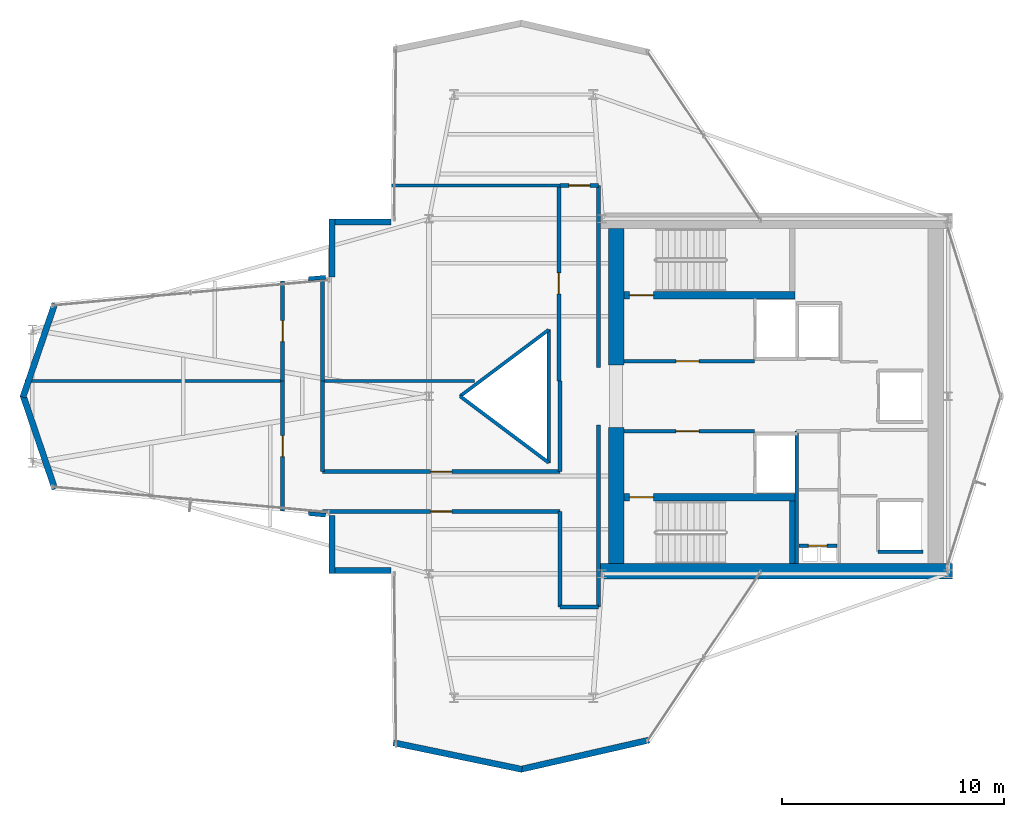
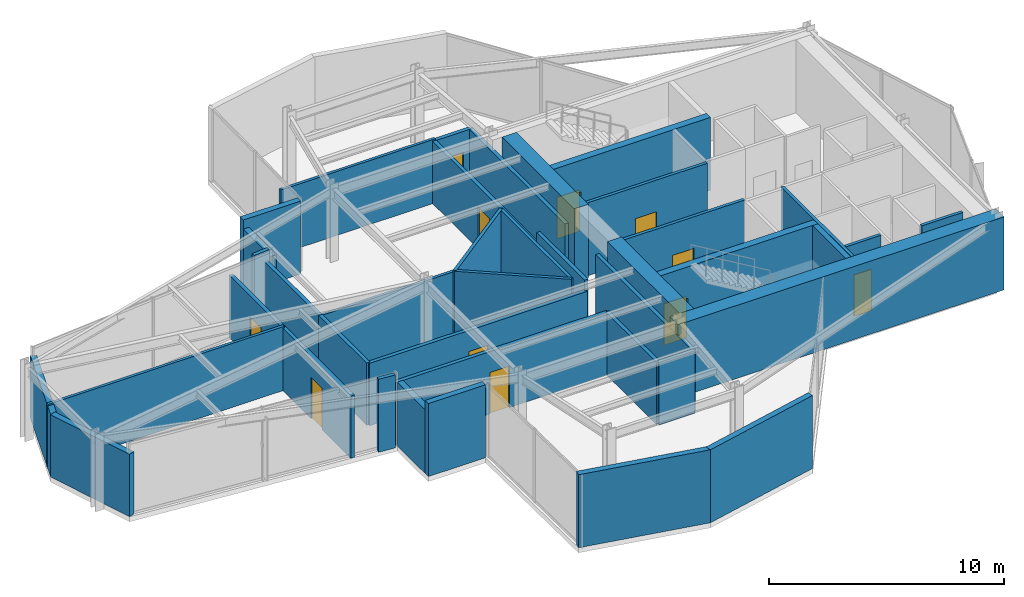
# One storey, part 20 of 22: 40 walls, 11 doors, 11 openings.
"""IFC4 building model written with IfcOpenShell, lengths in metres."""

from ifc_helpers import new_model, si_unit, direction, frame, frame_2d, origin, place, context, subcontext, project, spatial, rectangle, extrude, material, layer, layer_set, type_object, element, fill, save


model = new_model("IFC4")

# Units and contexts
model_context = context("Model", 3, precision=1e-05, world=origin(), true_north=direction((0.0, 1.0)))
body_context = subcontext(model_context, "Body", "Model", "MODEL_VIEW")
ifc_project = project(units=[si_unit("LENGTHUNIT", "METRE"), si_unit("AREAUNIT", "SQUARE_METRE"), si_unit("VOLUMEUNIT", "CUBIC_METRE"), si_unit("PLANEANGLEUNIT", "RADIAN"), si_unit("MASSUNIT", "GRAM", prefix="KILO")], contexts=[model_context])

# Site, building, storey
site_placement = place(None, origin())
site = spatial("IfcSite", under=ifc_project, at=site_placement, CompositionType="ELEMENT")
building_placement = place(site_placement, origin())
building = spatial("IfcBuilding", under=site, at=building_placement, Name="Veymaron Broadcast Tower", CompositionType="ELEMENT")
storey_placement = place(building_placement, frame((0.0, 0.0, 204.0)))
storey = spatial("IfcBuildingStorey", under=building, at=storey_placement, Name="L47", CompositionType="ELEMENT", Elevation=204.0)

# Walls
ifc_material_1 = material(Name="Precast concrete C40/50", Category="concrete")
ifc_layer_1 = layer(ifc_material_1, 0.280029296875)
ifc_layer_set_1 = layer_set([ifc_layer_1], Name="Precast concrete C40/50")
wall_type_1 = type_object("IfcWallType", Name="WALL-EXT-280", PredefinedType="STANDARD", material=ifc_layer_set_1)
wall_1_placement = place(storey_placement, frame((29.489013671875, 31.860107421875, 0.0), z_axis=(0.0, 0.0, 1.0), x_axis=(-1.0, 0.0, 0.0)))
element("IfcWall", 1, at=wall_1_placement, inside=storey, type_object=wall_type_1, Name="L47 notched corner facade pier 9-1", PredefinedType="STANDARD", context=body_context, shape_type="SweptSolid", body=[
    extrude(rectangle(XDim=2.80908203125, YDim=0.280029296875, at=frame_2d((1.404541015625, 0.0))), origin(), (0.0, 0.0, 1.0), 3.7900390625),
])
wall_2_placement = place(storey_placement, frame((26.820068359375, 32.0, 0.0), z_axis=(0.0, 0.0, 1.0), x_axis=(0.0, -1.0, 0.0)))
element("IfcWall", 2, at=wall_2_placement, inside=storey, type_object=wall_type_1, Name="L47 notched corner facade pier 10-1", PredefinedType="STANDARD", context=body_context, shape_type="SweptSolid", body=[
    extrude(rectangle(XDim=2.622314453125, YDim=0.280029296875, at=frame_2d((1.31103515625, 0.0))), origin(), (0.0, 0.0, 1.0), 3.319091796875),
])
for number, where, z_axis, x_axis, name in (
    (3, (14.33251953125, 28.181884765625, 0.0), (0.0, 0.0, 1.0), (-0.322453512009, -0.946585301277, 0.0), "L47 notched corner facade pier 12-1"),
    (4, (12.892578125, 24.045166015625, 0.0), (0.0, 0.0, 1.0), (0.322453512009, -0.946585301277, 0.0), "L47 notched corner facade pier 13-1"),
):
    element("IfcWall", number, at=place(storey_placement, frame(where, z_axis=z_axis, x_axis=x_axis)), inside=storey, type_object=wall_type_1, Name=name, PredefinedType="STANDARD", context=body_context, shape_type="SweptSolid", body=[
        extrude(rectangle(XDim=4.465576171875, YDim=0.280029296875, at=frame_2d((2.23291015625, 0.0))), origin(), (0.0, 0.0, 1.0), 3.240966796875),
    ])
wall_3_placement = place(storey_placement, frame((26.820068359375, 18.622314453125, 0.0), z_axis=(0.0, 0.0, 1.0), x_axis=(0.0, -1.0, 0.0)))
element("IfcWall", 5, at=wall_3_placement, inside=storey, type_object=wall_type_1, Name="L47 notched corner facade pier 15-1", PredefinedType="STANDARD", context=body_context, shape_type="SweptSolid", body=[
    extrude(rectangle(XDim=2.622314453125, YDim=0.280029296875, at=frame_2d((1.31103515625, 0.0))), origin(), (0.0, 0.0, 1.0), 3.319091796875),
])
wall_4_placement = place(storey_placement, frame((26.679931640625, 16.139892578125, 0.0), z_axis=(0.0, 0.0, 1.0), x_axis=(1.0, 0.0, 0.0)))
element("IfcWall", 6, at=wall_4_placement, inside=storey, type_object=wall_type_1, Name="L47 notched corner facade pier 16-1", PredefinedType="STANDARD", context=body_context, shape_type="SweptSolid", body=[
    extrude(rectangle(XDim=2.80908203125, YDim=0.280029296875, at=frame_2d((1.404541015625, 0.0))), origin(), (0.0, 0.0, 1.0), 3.7900390625),
])
wall_5_placement = place(storey_placement, frame((29.60400390625, 8.377197265625, 0.0), z_axis=(0.0, 0.0, 1.0), x_axis=(0.979145472124, -0.203160390873, 0.0)))
element("IfcWall", 7, at=wall_5_placement, inside=storey, type_object=wall_type_1, Name="L47 notched corner facade pier 18-1", PredefinedType="STANDARD", context=body_context, shape_type="SweptSolid", body=[
    extrude(rectangle(XDim=5.90771484375, YDim=0.280029296875, at=frame_2d((2.953857421875, 0.0))), origin(), (0.0, 0.0, 1.0), 3.7900390625),
])
wall_6_placement = place(storey_placement, frame((35.328857421875, 7.176513671875, 0.0), z_axis=(0.0, 0.0, 1.0), x_axis=(0.974934808954, 0.222490715064, 0.0)))
element("IfcWall", 8, at=wall_6_placement, inside=storey, type_object=wall_type_1, Name="L47 notched corner facade pier 19-1", PredefinedType="STANDARD", context=body_context, shape_type="SweptSolid", body=[
    extrude(rectangle(XDim=5.93310546875, YDim=0.280029296875, at=frame_2d((2.966552734375, 0.0))), origin(), (0.0, 0.0, 1.0), 3.7900390625),
])

# Wall, opening, door
ifc_material_2 = material(Name="Gypsum fireboard and steel stud framing", Category="steel")
ifc_layer_2 = layer(ifc_material_2, 0.14990234375)
ifc_layer_set_2 = layer_set([ifc_layer_2], Name="Gypsum fireboard and steel stud framing")
wall_type_2 = type_object("IfcWallType", Name="WALL-FIRE-150", PredefinedType="PARTITIONING", material=ifc_layer_set_2)
wall_7_placement = place(storey_placement, frame((39.97998046875, 25.574951171875, 0.0), z_axis=(0.0, 0.0, 1.0), x_axis=(1.0, 0.0, 0.0)))
wall_7 = element("IfcWall", 9, at=wall_7_placement, inside=storey, type_object=wall_type_2, Name="L47 partition IW-L47-FFLN-S", PredefinedType="PARTITIONING", context=body_context, shape_type="SweptSolid", body=[
    extrude(rectangle(XDim=5.89990234375, YDim=0.14990234375, at=frame_2d((2.949951171875, 0.0))), origin(), (0.0, 0.0, 1.0), 3.7900390625),
])
opening_1_placement = place(wall_7_placement, frame((2.35009765625, 0.0, 0.0)))
opening_1 = element("IfcOpeningElement", 10, at=opening_1_placement, cuts=wall_7, Name="Opening ID-FL1", PredefinedType="OPENING", context=body_context, shape_type="SweptSolid", body=[
    extrude(rectangle(XDim=1.050048828125, YDim=2.14990234375, at=frame_2d((0.52490234375, 1.074951171875))), frame((0.0, 0.0849609375, 0.0), z_axis=(0.0, -1.0, 0.0), x_axis=(1.0, 0.0, 0.0)), (0.0, 0.0, 1.0), 0.169921875),
])
ifc_material_3 = material(Name="Fire-rated painted hollow steel ASTM A653", Category="steel")
door_type_1 = type_object("IfcDoorType", Name="DOOR-FIRE-1050", OperationType="NOTDEFINED", PredefinedType="DOOR", material=ifc_material_3)
door_1_placement = place(opening_1_placement, origin())
door_1 = element("IfcDoor", 11, at=door_1_placement, inside=storey, type_object=door_type_1, Name="L47 door DR-L47-FFLN", OperationType="SINGLE_SWING_LEFT", OverallHeight=2.14990234375, OverallWidth=1.050048828125, PredefinedType="DOOR", context=body_context, shape_type="SweptSolid", body=[
    extrude(rectangle(XDim=1.050048828125, YDim=2.14990234375, at=frame_2d((0.52490234375, 1.074951171875))), frame((0.0, 0.02490234375, 0.0), z_axis=(0.0, -1.0, 0.0), x_axis=(1.0, 0.0, 0.0)), (0.0, 0.0, 1.0), 0.050048828125),
])
fill(opening_1, door_1)

wall_8_placement = place(storey_placement, frame((39.97998046875, 22.425048828125, 0.0), z_axis=(0.0, 0.0, 1.0), x_axis=(1.0, 0.0, 0.0)))
wall_8 = element("IfcWall", 12, at=wall_8_placement, inside=storey, type_object=wall_type_2, Name="L47 partition IW-L47-FFLS-N", PredefinedType="PARTITIONING", context=body_context, shape_type="SweptSolid", body=[
    extrude(rectangle(XDim=5.89990234375, YDim=0.14990234375, at=frame_2d((2.949951171875, 0.0))), origin(), (0.0, 0.0, 1.0), 3.7900390625),
])
opening_2_placement = place(wall_8_placement, frame((2.35009765625, 0.0, 0.0)))
opening_2 = element("IfcOpeningElement", 13, at=opening_2_placement, cuts=wall_8, Name="Opening ID-FL1", PredefinedType="OPENING", context=body_context, shape_type="SweptSolid", body=[
    extrude(rectangle(XDim=1.050048828125, YDim=2.14990234375, at=frame_2d((0.52490234375, 1.074951171875))), frame((0.0, 0.0849609375, 0.0), z_axis=(0.0, -1.0, 0.0), x_axis=(1.0, 0.0, 0.0)), (0.0, 0.0, 1.0), 0.169921875),
])
door_2_placement = place(opening_2_placement, frame((1.050048828125, 0.0, 0.0), z_axis=(0.0, 0.0, 1.0), x_axis=(-1.0, 0.0, 0.0)))
door_2 = element("IfcDoor", 14, at=door_2_placement, inside=storey, type_object=door_type_1, Name="L47 door DR-L47-FFLS", OperationType="SINGLE_SWING_RIGHT", OverallHeight=2.14990234375, OverallWidth=1.050048828125, PredefinedType="DOOR", context=body_context, shape_type="SweptSolid", body=[
    extrude(rectangle(XDim=1.050048828125, YDim=2.14990234375, at=frame_2d((0.52490234375, 1.074951171875))), frame((0.0, 0.02490234375, 0.0), z_axis=(0.0, -1.0, 0.0), x_axis=(1.0, 0.0, 0.0)), (0.0, 0.0, 1.0), 0.050048828125),
])
fill(opening_2, door_2)

# Wall
wall_9_placement = place(storey_placement, frame((51.445068359375, 16.989990234375, 0.0), z_axis=(0.0, 0.0, 1.0), x_axis=(1.0, 0.0, 0.0)))
element("IfcWall", 15, at=wall_9_placement, inside=storey, type_object=wall_type_2, Name="L47 partition IW-L47-SHS-PH1", PredefinedType="PARTITIONING", context=body_context, shape_type="SweptSolid", body=[
    extrude(rectangle(XDim=2.014892578125, YDim=0.14990234375, at=frame_2d((1.00732421875, 0.0))), origin(), (0.0, 0.0, 1.0), 3.7900390625),
])

# Wall, opening, door
wall_10_placement = place(storey_placement, frame((47.8798828125, 17.260009765625, 0.0), z_axis=(0.0, 0.0, 1.0), x_axis=(1.0, 0.0, 0.0)))
wall_10 = element("IfcWall", 16, at=wall_10_placement, inside=storey, type_object=wall_type_2, Name="L47 partition IW-L47-RIS-N", PredefinedType="PARTITIONING", context=body_context, shape_type="SweptSolid", body=[
    extrude(rectangle(XDim=1.72021484375, YDim=0.14990234375, at=frame_2d((0.860107421875, 0.0))), origin(), (0.0, 0.0, 1.0), 3.7900390625),
])
opening_3_placement = place(wall_10_placement, frame((0.419921875, 0.0, 0.0)))
opening_3 = element("IfcOpeningElement", 17, at=opening_3_placement, cuts=wall_10, Name="Opening ID-RS1", PredefinedType="OPENING", context=body_context, shape_type="SweptSolid", body=[
    extrude(rectangle(XDim=0.85009765625, YDim=2.14990234375, at=frame_2d((0.425048828125, 1.074951171875))), frame((0.0, 0.0849609375, 0.0), z_axis=(0.0, -1.0, 0.0), x_axis=(1.0, 0.0, 0.0)), (0.0, 0.0, 1.0), 0.169921875),
])
ifc_material_4 = material(Name="Fire-rated powder-coated steel riser leaf", Category="steel")
door_type_2 = type_object("IfcDoorType", Name="DOOR-RIS-850", OperationType="NOTDEFINED", PredefinedType="TRAPDOOR", material=ifc_material_4)
door_3_placement = place(opening_3_placement, origin())
door_3 = element("IfcDoor", 18, at=door_3_placement, inside=storey, type_object=door_type_2, Name="L47 door DR-L47-RIS", OperationType="SINGLE_SWING_LEFT", OverallHeight=2.14990234375, OverallWidth=0.85009765625, PredefinedType="TRAPDOOR", context=body_context, shape_type="SweptSolid", body=[
    extrude(rectangle(XDim=0.85009765625, YDim=2.14990234375, at=frame_2d((0.425048828125, 1.074951171875))), frame((0.0, 0.02490234375, 0.0), z_axis=(0.0, -1.0, 0.0), x_axis=(1.0, 0.0, 0.0)), (0.0, 0.0, 1.0), 0.050048828125),
])
fill(opening_3, door_3)

# Wall
wall_11_placement = place(storey_placement, frame((47.780029296875, 16.449951171875, 0.0), z_axis=(0.0, 0.0, 1.0), x_axis=(0.0, 1.0, 0.0)))
element("IfcWall", 19, at=wall_11_placement, inside=storey, type_object=wall_type_2, Name="L47 partition IW-L47-SM-W", PredefinedType="PARTITIONING", context=body_context, shape_type="SweptSolid", body=[
    extrude(rectangle(XDim=5.97509765625, YDim=0.14990234375, at=frame_2d((2.987548828125, 0.0))), origin(), (0.0, 0.0, 1.0), 3.7900390625),
])

# Wall, opening, door
ifc_material_5 = material(Name="Concrete C40/50", Category="concrete")
ifc_layer_3 = layer(ifc_material_5, 0.179931640625)
ifc_layer_set_3 = layer_set([ifc_layer_3], Name="Concrete C40/50")
wall_type_3 = type_object("IfcWallType", Name="WALL-FIRE-180", PredefinedType="SOLIDWALL", material=ifc_layer_set_3)
wall_12_placement = place(storey_placement, frame((26.39990234375, 18.800048828125, 0.0), z_axis=(0.0, 0.0, 1.0), x_axis=(1.0, 0.0, 0.0)))
wall_12 = element("IfcWall", 20, at=wall_12_placement, inside=storey, type_object=wall_type_3, Name="L47 partition IW-L47-P01", PredefinedType="SOLIDWALL", context=body_context, shape_type="SweptSolid", body=[
    extrude(rectangle(XDim=10.7001953125, YDim=0.179931640625, at=frame_2d((5.35009765625, 0.0))), origin(), (0.0, 0.0, 1.0), 3.240966796875),
])
opening_4_placement = place(wall_12_placement, frame((4.875, 0.0, 0.0)))
opening_4 = element("IfcOpeningElement", 21, at=opening_4_placement, cuts=wall_12, Name="Opening ID-RM1", PredefinedType="OPENING", context=body_context, shape_type="SweptSolid", body=[
    extrude(rectangle(XDim=0.949951171875, YDim=2.14990234375, at=frame_2d((0.47509765625, 1.074951171875))), frame((0.0, 0.10009765625, 0.0), z_axis=(0.0, -1.0, 0.0), x_axis=(1.0, 0.0, 0.0)), (0.0, 0.0, 1.0), 0.199951171875),
])
ifc_material_6 = material(Name="Acoustic solid-core European oak veneer timber", Category="wood")
door_type_3 = type_object("IfcDoorType", Name="DOOR-INT-950", OperationType="NOTDEFINED", PredefinedType="DOOR", material=ifc_material_6)
door_4_placement = place(opening_4_placement, frame((0.949951171875, 0.0, 0.0), z_axis=(0.0, 0.0, 1.0), x_axis=(-1.0, 0.0, 0.0)))
door_4 = element("IfcDoor", 22, at=door_4_placement, inside=storey, type_object=door_type_3, Name="L47 door DR-L47-P01", OperationType="SINGLE_SWING_RIGHT", OverallHeight=2.14990234375, OverallWidth=0.949951171875, PredefinedType="DOOR", context=body_context, shape_type="SweptSolid", body=[
    extrude(rectangle(XDim=0.949951171875, YDim=2.14990234375, at=frame_2d((0.47509765625, 1.074951171875))), frame((0.0, 0.02490234375, 0.0), z_axis=(0.0, -1.0, 0.0), x_axis=(1.0, 0.0, 0.0)), (0.0, 0.0, 1.0), 0.050048828125),
])
fill(opening_4, door_4)

wall_13_placement = place(storey_placement, frame((24.60009765625, 18.814208984375, 0.0), z_axis=(0.0, 0.0, 1.0), x_axis=(0.0, 1.0, 0.0)))
wall_13 = element("IfcWall", 23, at=wall_13_placement, inside=storey, type_object=wall_type_3, Name="L47 partition IW-L47-P06", PredefinedType="SOLIDWALL", context=body_context, shape_type="SweptSolid", body=[
    extrude(rectangle(XDim=5.86376953125, YDim=0.179931640625, at=frame_2d((2.931884765625, 0.0))), origin(), (0.0, 0.0, 1.0), 3.240966796875),
])
opening_5_placement = place(wall_13_placement, frame((2.45703125, 0.0, 0.0)))
opening_5 = element("IfcOpeningElement", 24, at=opening_5_placement, cuts=wall_13, Name="Opening ID-RM1", PredefinedType="OPENING", context=body_context, shape_type="SweptSolid", body=[
    extrude(rectangle(XDim=0.949951171875, YDim=2.14990234375, at=frame_2d((0.47509765625, 1.074951171875))), frame((0.0, 0.10009765625, 0.0), z_axis=(0.0, -1.0, 0.0), x_axis=(1.0, 0.0, 0.0)), (0.0, 0.0, 1.0), 0.199951171875),
])
door_5_placement = place(opening_5_placement, origin())
door_5 = element("IfcDoor", 25, at=door_5_placement, inside=storey, type_object=door_type_3, Name="L47 door DR-L47-P06", OperationType="SINGLE_SWING_LEFT", OverallHeight=2.14990234375, OverallWidth=0.949951171875, PredefinedType="DOOR", context=body_context, shape_type="SweptSolid", body=[
    extrude(rectangle(XDim=0.949951171875, YDim=2.14990234375, at=frame_2d((0.47509765625, 1.074951171875))), frame((0.0, 0.02490234375, 0.0), z_axis=(0.0, -1.0, 0.0), x_axis=(1.0, 0.0, 0.0)), (0.0, 0.0, 1.0), 0.050048828125),
])
fill(opening_5, door_5)

wall_14_placement = place(storey_placement, frame((26.39990234375, 20.60009765625, 0.0), z_axis=(0.0, 0.0, 1.0), x_axis=(1.0, 0.0, 0.0)))
wall_14 = element("IfcWall", 26, at=wall_14_placement, inside=storey, type_object=wall_type_3, Name="L47 partition IW-L47-P07", PredefinedType="SOLIDWALL", context=body_context, shape_type="SweptSolid", body=[
    extrude(rectangle(XDim=10.7001953125, YDim=0.179931640625, at=frame_2d((5.35009765625, 0.0))), origin(), (0.0, 0.0, 1.0), 3.240966796875),
])
opening_6_placement = place(wall_14_placement, frame((4.875, 0.0, 0.0)))
opening_6 = element("IfcOpeningElement", 27, at=opening_6_placement, cuts=wall_14, Name="Opening ID-RM1", PredefinedType="OPENING", context=body_context, shape_type="SweptSolid", body=[
    extrude(rectangle(XDim=0.949951171875, YDim=2.14990234375, at=frame_2d((0.47509765625, 1.074951171875))), frame((0.0, 0.10009765625, 0.0), z_axis=(0.0, -1.0, 0.0), x_axis=(1.0, 0.0, 0.0)), (0.0, 0.0, 1.0), 0.199951171875),
])
door_6_placement = place(opening_6_placement, origin())
door_6 = element("IfcDoor", 28, at=door_6_placement, inside=storey, type_object=door_type_3, Name="L47 door DR-L47-P07", OperationType="SINGLE_SWING_RIGHT", OverallHeight=2.14990234375, OverallWidth=0.949951171875, PredefinedType="DOOR", context=body_context, shape_type="SweptSolid", body=[
    extrude(rectangle(XDim=0.949951171875, YDim=2.14990234375, at=frame_2d((0.47509765625, 1.074951171875))), frame((0.0, 0.02490234375, 0.0), z_axis=(0.0, -1.0, 0.0), x_axis=(1.0, 0.0, 0.0)), (0.0, 0.0, 1.0), 0.050048828125),
])
fill(opening_6, door_6)

wall_15_placement = place(storey_placement, frame((24.60009765625, 24.677978515625, 0.0), z_axis=(0.0, 0.0, 1.0), x_axis=(0.0, 1.0, 0.0)))
wall_15 = element("IfcWall", 29, at=wall_15_placement, inside=storey, type_object=wall_type_3, Name="L47 partition IW-L47-P10", PredefinedType="SOLIDWALL", context=body_context, shape_type="SweptSolid", body=[
    extrude(rectangle(XDim=4.5078125, YDim=0.179931640625, at=frame_2d((2.25390625, 0.0))), origin(), (0.0, 0.0, 1.0), 3.240966796875),
])
opening_7_placement = place(wall_15_placement, frame((1.77880859375, 0.0, 0.0)))
opening_7 = element("IfcOpeningElement", 30, at=opening_7_placement, cuts=wall_15, Name="Opening ID-RM1", PredefinedType="OPENING", context=body_context, shape_type="SweptSolid", body=[
    extrude(rectangle(XDim=0.949951171875, YDim=2.14990234375, at=frame_2d((0.47509765625, 1.074951171875))), frame((0.0, 0.10009765625, 0.0), z_axis=(0.0, -1.0, 0.0), x_axis=(1.0, 0.0, 0.0)), (0.0, 0.0, 1.0), 0.199951171875),
])
door_7_placement = place(opening_7_placement, origin())
door_7 = element("IfcDoor", 31, at=door_7_placement, inside=storey, type_object=door_type_3, Name="L47 door DR-L47-P10", OperationType="SINGLE_SWING_LEFT", OverallHeight=2.14990234375, OverallWidth=0.949951171875, PredefinedType="DOOR", context=body_context, shape_type="SweptSolid", body=[
    extrude(rectangle(XDim=0.949951171875, YDim=2.14990234375, at=frame_2d((0.47509765625, 1.074951171875))), frame((0.0, 0.02490234375, 0.0), z_axis=(0.0, -1.0, 0.0), x_axis=(1.0, 0.0, 0.0)), (0.0, 0.0, 1.0), 0.050048828125),
])
fill(opening_7, door_7)

wall_16_placement = place(storey_placement, frame((37.050048828125, 24.677978515625, 0.0), z_axis=(0.0, 0.0, 1.0), x_axis=(0.0, 1.0, 0.0)))
wall_16 = element("IfcWall", 32, at=wall_16_placement, inside=storey, type_object=wall_type_3, Name="L47 partition IW-L47-P11", PredefinedType="SOLIDWALL", context=body_context, shape_type="SweptSolid", body=[
    extrude(rectangle(XDim=8.820068359375, YDim=0.179931640625, at=frame_2d((4.41015625, 0.0))), origin(), (0.0, 0.0, 1.0), 3.240966796875),
])
opening_8_placement = place(wall_16_placement, frame((3.93505859375, 0.0, 0.0)))
opening_8 = element("IfcOpeningElement", 33, at=opening_8_placement, cuts=wall_16, Name="Opening ID-RM1", PredefinedType="OPENING", context=body_context, shape_type="SweptSolid", body=[
    extrude(rectangle(XDim=0.949951171875, YDim=2.14990234375, at=frame_2d((0.47509765625, 1.074951171875))), frame((0.0, 0.10009765625, 0.0), z_axis=(0.0, -1.0, 0.0), x_axis=(1.0, 0.0, 0.0)), (0.0, 0.0, 1.0), 0.199951171875),
])
door_8_placement = place(opening_8_placement, origin())
door_8 = element("IfcDoor", 34, at=door_8_placement, inside=storey, type_object=door_type_3, Name="L47 door DR-L47-P11", OperationType="SINGLE_SWING_RIGHT", OverallHeight=2.14990234375, OverallWidth=0.949951171875, PredefinedType="DOOR", context=body_context, shape_type="SweptSolid", body=[
    extrude(rectangle(XDim=0.949951171875, YDim=2.14990234375, at=frame_2d((0.47509765625, 1.074951171875))), frame((0.0, 0.02490234375, 0.0), z_axis=(0.0, -1.0, 0.0), x_axis=(1.0, 0.0, 0.0)), (0.0, 0.0, 1.0), 0.050048828125),
])
fill(opening_8, door_8)

wall_17_placement = place(storey_placement, frame((37.10009765625, 33.5, 0.0), z_axis=(0.0, 0.0, 1.0), x_axis=(1.0, 0.0, 0.0)))
wall_17 = element("IfcWall", 35, at=wall_17_placement, inside=storey, type_object=wall_type_3, Name="L47 partition IW-L47-P15", PredefinedType="SOLIDWALL", context=body_context, shape_type="SweptSolid", body=[
    extrude(rectangle(XDim=1.75, YDim=0.179931640625, at=frame_2d((0.875, 0.0))), origin(), (0.0, 0.0, 1.0), 3.240966796875),
])
opening_9_placement = place(wall_17_placement, frame((0.39990234375, 0.0, 0.0)))
opening_9 = element("IfcOpeningElement", 36, at=opening_9_placement, cuts=wall_17, Name="Opening ID-RM1", PredefinedType="OPENING", context=body_context, shape_type="SweptSolid", body=[
    extrude(rectangle(XDim=0.949951171875, YDim=2.14990234375, at=frame_2d((0.47509765625, 1.074951171875))), frame((0.0, 0.10009765625, 0.0), z_axis=(0.0, -1.0, 0.0), x_axis=(1.0, 0.0, 0.0)), (0.0, 0.0, 1.0), 0.199951171875),
])
door_9_placement = place(opening_9_placement, origin())
door_9 = element("IfcDoor", 37, at=door_9_placement, inside=storey, type_object=door_type_3, Name="L47 door DR-L47-P15", OperationType="SINGLE_SWING_RIGHT", OverallHeight=2.14990234375, OverallWidth=0.949951171875, PredefinedType="DOOR", context=body_context, shape_type="SweptSolid", body=[
    extrude(rectangle(XDim=0.949951171875, YDim=2.14990234375, at=frame_2d((0.47509765625, 1.074951171875))), frame((0.0, 0.02490234375, 0.0), z_axis=(0.0, -1.0, 0.0), x_axis=(1.0, 0.0, 0.0)), (0.0, 0.0, 1.0), 0.050048828125),
])
fill(opening_9, door_9)

# Walls
wall_18_placement = place(storey_placement, frame((38.85009765625, 14.5, 0.0), z_axis=(0.0, 0.0, 1.0), x_axis=(0.0, 1.0, 0.0)))
element("IfcWall", 38, at=wall_18_placement, inside=storey, type_object=wall_type_3, Name="L47 partition IW-L47-P02", PredefinedType="SOLIDWALL", context=body_context, shape_type="SweptSolid", body=[
    extrude(rectangle(XDim=8.199951171875, YDim=0.179931640625, at=frame_2d((4.10009765625, 0.0))), origin(), (0.0, 0.0, 1.0), 3.240966796875),
])
wall_19_placement = place(storey_placement, frame((37.10009765625, 14.5, 0.0), z_axis=(0.0, 0.0, 1.0), x_axis=(0.0, 1.0, 0.0)))
element("IfcWall", 39, at=wall_19_placement, inside=storey, type_object=wall_type_3, Name="L47 partition IW-L47-P03", PredefinedType="SOLIDWALL", context=body_context, shape_type="SweptSolid", body=[
    extrude(rectangle(XDim=4.300048828125, YDim=0.179931640625, at=frame_2d((2.14990234375, 0.0))), origin(), (0.0, 0.0, 1.0), 3.240966796875),
])
wall_20_placement = place(storey_placement, frame((37.10009765625, 14.5, 0.0), z_axis=(0.0, 0.0, 1.0), x_axis=(1.0, 0.0, 0.0)))
element("IfcWall", 40, at=wall_20_placement, inside=storey, type_object=wall_type_3, Name="L47 partition IW-L47-P04", PredefinedType="SOLIDWALL", context=body_context, shape_type="SweptSolid", body=[
    extrude(rectangle(XDim=1.75, YDim=0.179931640625, at=frame_2d((0.875, 0.0))), origin(), (0.0, 0.0, 1.0), 3.240966796875),
])
wall_21_placement = place(storey_placement, frame((25.764892578125, 18.706787109375, 0.0), z_axis=(0.0, 0.0, 1.0), x_axis=(0.995774178655, -0.091835641909, 0.0)))
element("IfcWall", 41, at=wall_21_placement, inside=storey, type_object=wall_type_3, Name="L47 partition IW-L47-P05", PredefinedType="SOLIDWALL", context=body_context, shape_type="SweptSolid", body=[
    extrude(rectangle(XDim=0.77880859375, YDim=0.179931640625, at=frame_2d((0.389404296875, 0.0))), origin(), (0.0, 0.0, 1.0), 3.7900390625),
])
wall_22_placement = place(storey_placement, frame((26.39990234375, 20.60009765625, 0.0), z_axis=(0.0, 0.0, 1.0), x_axis=(0.0, 1.0, 0.0)))
element("IfcWall", 42, at=wall_22_placement, inside=storey, type_object=wall_type_3, Name="L47 partition IW-L47-P08", PredefinedType="SOLIDWALL", context=body_context, shape_type="SweptSolid", body=[
    extrude(rectangle(XDim=4.077880859375, YDim=0.179931640625, at=frame_2d((2.0390625, 0.0))), origin(), (0.0, 0.0, 1.0), 3.240966796875),
])
wall_23_placement = place(storey_placement, frame((37.10009765625, 20.60009765625, 0.0), z_axis=(0.0, 0.0, 1.0), x_axis=(0.0, 1.0, 0.0)))
element("IfcWall", 43, at=wall_23_placement, inside=storey, type_object=wall_type_3, Name="L47 partition IW-L47-P09", PredefinedType="SOLIDWALL", context=body_context, shape_type="SweptSolid", body=[
    extrude(rectangle(XDim=4.077880859375, YDim=0.179931640625, at=frame_2d((2.0390625, 0.0))), origin(), (0.0, 0.0, 1.0), 3.7900390625),
])
wall_24_placement = place(storey_placement, frame((26.39990234375, 24.677978515625, 0.0), z_axis=(0.0, 0.0, 1.0), x_axis=(0.0, 1.0, 0.0)))
element("IfcWall", 44, at=wall_24_placement, inside=storey, type_object=wall_type_3, Name="L47 partition IW-L47-P12", PredefinedType="SOLIDWALL", context=body_context, shape_type="SweptSolid", body=[
    extrude(rectangle(XDim=4.673828125, YDim=0.179931640625, at=frame_2d((2.3369140625, 0.0))), origin(), (0.0, 0.0, 1.0), 3.240966796875),
])
wall_25_placement = place(storey_placement, frame((25.764892578125, 29.293212890625, 0.0), z_axis=(0.0, 0.0, 1.0), x_axis=(0.995774178655, 0.091835641909, 0.0)))
element("IfcWall", 45, at=wall_25_placement, inside=storey, type_object=wall_type_3, Name="L47 partition IW-L47-P13", PredefinedType="SOLIDWALL", context=body_context, shape_type="SweptSolid", body=[
    extrude(rectangle(XDim=0.77880859375, YDim=0.179931640625, at=frame_2d((0.389404296875, 0.0))), origin(), (0.0, 0.0, 1.0), 3.7900390625),
])
wall_26_placement = place(storey_placement, frame((38.85009765625, 25.300048828125, 0.0), z_axis=(0.0, 0.0, 1.0), x_axis=(0.0, 1.0, 0.0)))
element("IfcWall", 46, at=wall_26_placement, inside=storey, type_object=wall_type_3, Name="L47 partition IW-L47-P14", PredefinedType="SOLIDWALL", context=body_context, shape_type="SweptSolid", body=[
    extrude(rectangle(XDim=8.197998046875, YDim=0.179931640625, at=frame_2d((4.09912109375, 0.0))), origin(), (0.0, 0.0, 1.0), 3.240966796875),
])
ifc_material_7 = material(Name="Fire-rated laminated glass in aluminium frame", Category="aluminium")
ifc_layer_4 = layer(ifc_material_7, 0.14990234375)
ifc_layer_set_4 = layer_set([ifc_layer_4], Name="Fire-rated laminated glass in aluminium frame")
wall_type_4 = type_object("IfcWallType", Name="WALL-GLZ-150", PredefinedType="MOVABLE", material=ifc_layer_set_4)
wall_27_placement = place(storey_placement, frame((32.60009765625, 24.0, 0.0), z_axis=(0.0, 0.0, 1.0), x_axis=(0.8, -0.6, 0.0)))
element("IfcWall", 47, at=wall_27_placement, inside=storey, type_object=wall_type_4, Name="L47 partition IW-L47-ATR1", PredefinedType="MOVABLE", context=body_context, shape_type="SweptSolid", body=[
    extrude(rectangle(XDim=5.0, YDim=0.14990234375, at=frame_2d((2.5, 0.0))), origin(), (0.0, 0.0, 1.0), 3.7900390625),
])
wall_28_placement = place(storey_placement, frame((36.60009765625, 21.0, 0.0), z_axis=(0.0, 0.0, 1.0), x_axis=(0.0, 1.0, 0.0)))
element("IfcWall", 48, at=wall_28_placement, inside=storey, type_object=wall_type_4, Name="L47 partition IW-L47-ATR2", PredefinedType="MOVABLE", context=body_context, shape_type="SweptSolid", body=[
    extrude(rectangle(XDim=6.0, YDim=0.14990234375, at=frame_2d((3.0, 0.0))), origin(), (0.0, 0.0, 1.0), 3.7900390625),
])
wall_29_placement = place(storey_placement, frame((36.60009765625, 27.0, 0.0), z_axis=(0.0, 0.0, 1.0), x_axis=(-0.8, -0.6, 0.0)))
element("IfcWall", 49, at=wall_29_placement, inside=storey, type_object=wall_type_4, Name="L47 partition IW-L47-ATR3", PredefinedType="MOVABLE", context=body_context, shape_type="SweptSolid", body=[
    extrude(rectangle(XDim=5.0, YDim=0.14990234375, at=frame_2d((2.5, 0.0))), origin(), (0.0, 0.0, 1.0), 3.7900390625),
])
ifc_material_8 = material(Name="Double-layer acoustic gypsum and stud", Category="gypsum")
ifc_layer_5 = layer(ifc_material_8, 0.135009765625)
ifc_layer_set_5 = layer_set([ifc_layer_5], Name="Double-layer acoustic gypsum and stud")
wall_type_5 = type_object("IfcWallType", Name="WALL-PART-135", PredefinedType="PARTITIONING", material=ifc_layer_set_5)
wall_30_placement = place(storey_placement, frame((12.990966796875, 24.677978515625, 0.0), z_axis=(0.0, 0.0, 1.0), x_axis=(1.0, 0.0, 0.0)))
element("IfcWall", 50, at=wall_30_placement, inside=storey, type_object=wall_type_5, Name="L47 partition IW-L47-P16", PredefinedType="PARTITIONING", context=body_context, shape_type="SweptSolid", body=[
    extrude(rectangle(XDim=11.609130859375, YDim=0.135009765625, at=frame_2d((5.8046875, 0.0))), origin(), (0.0, 0.0, 1.0), 3.319091796875),
])
wall_31_placement = place(storey_placement, frame((26.39990234375, 24.677978515625, 0.0), z_axis=(0.0, 0.0, 1.0), x_axis=(1.0, 0.0, 0.0)))
element("IfcWall", 51, at=wall_31_placement, inside=storey, type_object=wall_type_5, Name="L47 partition IW-L47-P17", PredefinedType="PARTITIONING", context=body_context, shape_type="SweptSolid", body=[
    extrude(rectangle(XDim=6.85400390625, YDim=0.135009765625, at=frame_2d((3.427001953125, 0.0))), origin(), (0.0, 0.0, 1.0), 3.240966796875),
])
wall_32_placement = place(storey_placement, frame((29.505615234375, 33.498046875, 0.0), z_axis=(0.0, 0.0, 1.0), x_axis=(1.0, 0.0, 0.0)))
element("IfcWall", 52, at=wall_32_placement, inside=storey, type_object=wall_type_5, Name="L47 partition IW-L47-P18", PredefinedType="PARTITIONING", context=body_context, shape_type="SweptSolid", body=[
    extrude(rectangle(XDim=7.594482421875, YDim=0.135009765625, at=frame_2d((3.79736328125, 0.0))), origin(), (0.0, 0.0, 1.0), 3.319091796875),
])
ifc_material_9 = material(Name="Concrete C50/60", Category="concrete")
ifc_layer_6 = layer(ifc_material_9, 0.25)
ifc_layer_set_6 = layer_set([ifc_layer_6], Name="Concrete C50/60")
wall_type_6 = type_object("IfcWallType", Name="WALL-SHEAR-250", PredefinedType="SHEAR", material=ifc_layer_set_6)
wall_33_placement = place(storey_placement, frame((47.56494140625, 16.449951171875, 0.0), z_axis=(0.0, 0.0, 1.0), x_axis=(0.0, 1.0, 0.0)))
element("IfcWall", 53, at=wall_33_placement, inside=storey, type_object=wall_type_6, Name="L47 Core Wall south stair east shear", PredefinedType="SHEAR", context=body_context, shape_type="SweptSolid", body=[
    extrude(rectangle(XDim=2.820068359375, YDim=0.25, at=frame_2d((1.41015625, 0.0))), origin(), (0.0, 0.0, 1.0), 3.7900390625),
])

# Wall, opening, door
ifc_layer_7 = layer(ifc_material_9, 0.35009765625)
ifc_layer_set_7 = layer_set([ifc_layer_7], Name="Concrete C50/60")
wall_type_7 = type_object("IfcWallType", Name="WALL-SHEAR-350", PredefinedType="SHEAR", material=ifc_layer_set_7)
wall_34_placement = place(storey_placement, frame((39.97998046875, 28.554931640625, 0.0), z_axis=(0.0, 0.0, 1.0), x_axis=(1.0, 0.0, 0.0)))
wall_34 = element("IfcWall", 54, at=wall_34_placement, inside=storey, type_object=wall_type_7, Name="L47 Core Wall north stair spine", PredefinedType="SHEAR", context=body_context, shape_type="SweptSolid", body=[
    extrude(rectangle(XDim=7.7099609375, YDim=0.35009765625, at=frame_2d((3.85498046875, 0.0))), origin(), (0.0, 0.0, 1.0), 3.7900390625),
])
opening_10_placement = place(wall_34_placement, frame((0.25, 0.0, 0.0)))
opening_10 = element("IfcOpeningElement", 55, at=opening_10_placement, cuts=wall_34, Name="Opening ID-ST1", PredefinedType="OPENING", context=body_context, shape_type="SweptSolid", body=[
    extrude(rectangle(XDim=1.10009765625, YDim=2.14990234375, at=frame_2d((0.550048828125, 1.074951171875))), frame((0.0, 0.18505859375, 0.0), z_axis=(0.0, -1.0, 0.0), x_axis=(1.0, 0.0, 0.0)), (0.0, 0.0, 1.0), 0.3701171875),
])
door_type_4 = type_object("IfcDoorType", Name="DOOR-STAIR-1100", OperationType="NOTDEFINED", PredefinedType="DOOR", material=ifc_material_3)
door_10_placement = place(opening_10_placement, origin())
door_10 = element("IfcDoor", 56, at=door_10_placement, inside=storey, type_object=door_type_4, Name="L47 exit stair ST1 fire door", OperationType="SINGLE_SWING_RIGHT", OverallHeight=2.14990234375, OverallWidth=1.10009765625, PredefinedType="DOOR", context=body_context, shape_type="SweptSolid", body=[
    extrude(rectangle(XDim=1.10009765625, YDim=2.14990234375, at=frame_2d((0.550048828125, 1.074951171875))), frame((0.0, 0.02490234375, 0.0), z_axis=(0.0, -1.0, 0.0), x_axis=(1.0, 0.0, 0.0)), (0.0, 0.0, 1.0), 0.050048828125),
])
fill(opening_10, door_10)

wall_35_placement = place(storey_placement, frame((39.97998046875, 19.445068359375, 0.0), z_axis=(0.0, 0.0, 1.0), x_axis=(1.0, 0.0, 0.0)))
wall_35 = element("IfcWall", 57, at=wall_35_placement, inside=storey, type_object=wall_type_7, Name="L47 Core Wall south stair spine", PredefinedType="SHEAR", context=body_context, shape_type="SweptSolid", body=[
    extrude(rectangle(XDim=7.7099609375, YDim=0.35009765625, at=frame_2d((3.85498046875, 0.0))), origin(), (0.0, 0.0, 1.0), 3.7900390625),
])
opening_11_placement = place(wall_35_placement, frame((0.25, 0.0, 0.0)))
opening_11 = element("IfcOpeningElement", 58, at=opening_11_placement, cuts=wall_35, Name="Opening ID-ST1", PredefinedType="OPENING", context=body_context, shape_type="SweptSolid", body=[
    extrude(rectangle(XDim=1.10009765625, YDim=2.14990234375, at=frame_2d((0.550048828125, 1.074951171875))), frame((0.0, 0.18505859375, 0.0), z_axis=(0.0, -1.0, 0.0), x_axis=(1.0, 0.0, 0.0)), (0.0, 0.0, 1.0), 0.3701171875),
])
door_11_placement = place(opening_11_placement, frame((1.10009765625, 0.0, 0.0), z_axis=(0.0, 0.0, 1.0), x_axis=(-1.0, 0.0, 0.0)))
door_11 = element("IfcDoor", 59, at=door_11_placement, inside=storey, type_object=door_type_4, Name="L47 exit stair ST2 fire door", OperationType="SINGLE_SWING_LEFT", OverallHeight=2.14990234375, OverallWidth=1.10009765625, PredefinedType="DOOR", context=body_context, shape_type="SweptSolid", body=[
    extrude(rectangle(XDim=1.10009765625, YDim=2.14990234375, at=frame_2d((0.550048828125, 1.074951171875))), frame((0.0, 0.02490234375, 0.0), z_axis=(0.0, -1.0, 0.0), x_axis=(1.0, 0.0, 0.0)), (0.0, 0.0, 1.0), 0.050048828125),
])
fill(opening_11, door_11)

# Walls
ifc_material_10 = material(Name="Concrete C60/75", Category="concrete")
ifc_layer_8 = layer(ifc_material_10, 0.699951171875)
ifc_layer_set_8 = layer_set([ifc_layer_8], Name="Concrete C60/75")
wall_type_8 = type_object("IfcWallType", Name="WALL-SHEAR-700", PredefinedType="SHEAR", material=ifc_layer_set_8)
wall_36_placement = place(storey_placement, frame((38.800048828125, 16.10009765625, 0.0), z_axis=(0.0, 0.0, 1.0), x_axis=(1.0, 0.0, 0.0)))
element("IfcWall", 60, at=wall_36_placement, inside=storey, type_object=wall_type_8, Name="L47 Core Wall south shear", PredefinedType="SHEAR", context=body_context, shape_type="SweptSolid", body=[
    extrude(rectangle(XDim=16.0, YDim=0.699951171875, at=frame_2d((8.0, 0.0))), origin(), (0.0, 0.0, 1.0), 3.7900390625),
])
for number, where, z_axis, x_axis, name in (
    (61, (39.6298828125, 16.449951171875, 0.0), (0.0, 0.0, 1.0), (0.0, 1.0, 0.0), "L47 Core Wall west-south shear"),
    (62, (39.6298828125, 25.39990234375, 0.0), (0.0, 0.0, 1.0), (0.0, 1.0, 0.0), "L47 Core Wall west-north shear"),
):
    element("IfcWall", number, at=place(storey_placement, frame(where, z_axis=z_axis, x_axis=x_axis)), inside=storey, type_object=wall_type_8, Name=name, PredefinedType="SHEAR", context=body_context, shape_type="SweptSolid", body=[
        extrude(rectangle(XDim=6.150146484375, YDim=0.699951171875, at=frame_2d((3.0751953125, 0.0))), origin(), (0.0, 0.0, 1.0), 3.7900390625),
    ])

save(model, "model.ifc")
